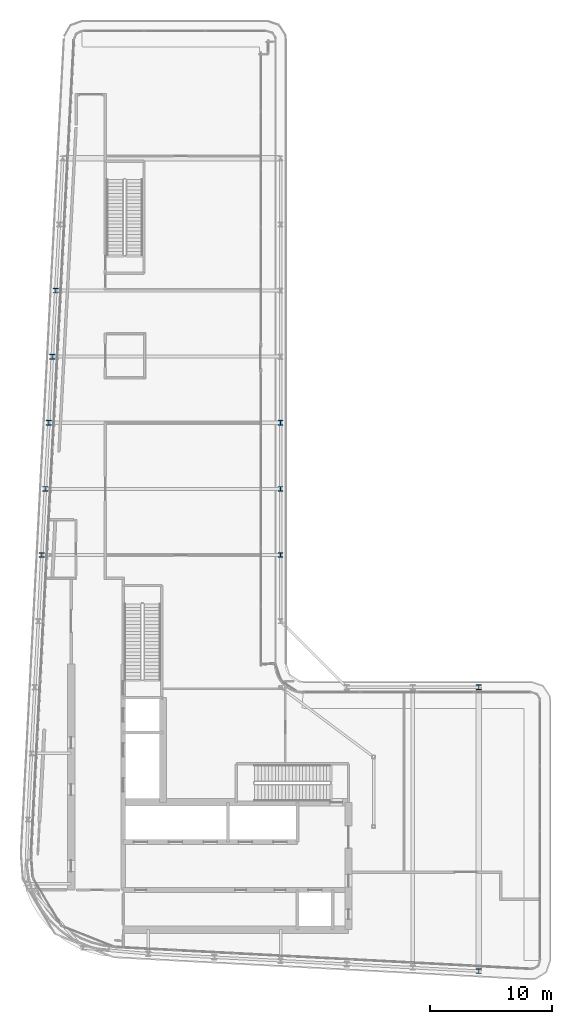
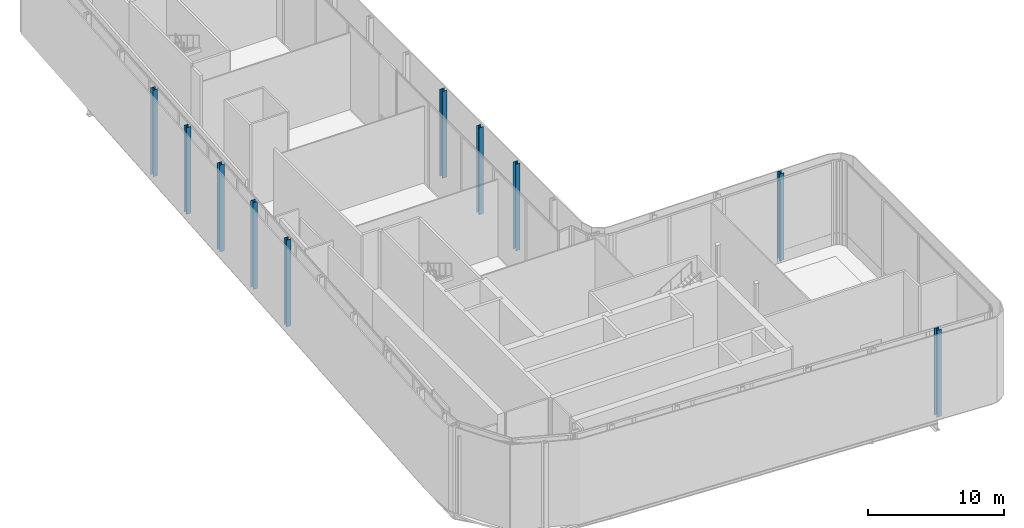
# One storey, part 3 of 28: 10 columns.
"""IFC4 building model written with IfcOpenShell, lengths in metres."""

import ifcopenshell
import ifcopenshell.guid

model = None  # the IFC model being written
_history = None  # IfcOwnerHistory: only IFC2X3 demands one
_inside = {}  # id of a spatial element -> (the spatial element, [elements in it])
_under = {}  # id of a project, library or spatial element -> (it, [spatial elements below it])
_declared = {}  # id of a project -> (the project, [libraries it declares])
_typed = {}  # id of a type object -> (the type object, [elements of that type])
_made_of = {}  # id of a material, layer set ... -> (it, [elements and type objects made of it])


def new_model(schema):
    """Start an empty IFC model of exactly this schema.

    Asked for "IFC4X3", IfcOpenShell would pick the latest addendum, in which some entities
    have other attributes; the version numbers below select the first issue.
    IFC2X3 requires an IfcOwnerHistory on every rooted entity: one is made here for all.
    """
    global model, _history
    if schema == "IFC4X3":
        model = ifcopenshell.file(schema_version=(4, 3, 0, 0))
    else:
        model = ifcopenshell.file(schema=schema)
    _inside.clear()
    _under.clear()
    _declared.clear()
    _typed.clear()
    _made_of.clear()
    _history = None
    if model.schema == "IFC2X3":
        org = make("IfcOrganization", Name="unknown")
        user = make(
            "IfcPersonAndOrganization",
            ThePerson=make("IfcPerson", FamilyName="unknown"),
            TheOrganization=org,
        )
        app = make(
            "IfcApplication",
            ApplicationDeveloper=org,
            Version="unknown",
            ApplicationFullName="unknown",
            ApplicationIdentifier="unknown",
        )
        _history = make(
            "IfcOwnerHistory",
            OwningUser=user,
            OwningApplication=app,
            ChangeAction="ADDED",
            CreationDate=0,
        )
    return model


def make(cls, **values):
    """One entity of the class cls with the attributes given. An attribute that is None is left unset."""
    return model.create_entity(
        cls, **{name: value for name, value in values.items() if value is not None}
    )


def rooted(cls, **values):
    """An entity with a GlobalId (a new one), such as an element, a storey or a relation."""
    return make(cls, GlobalId=ifcopenshell.guid.new(), OwnerHistory=_history, **values)


def si_unit(unit_type, name, prefix=None):
    """IfcSIUnit, for example si_unit("LENGTHUNIT", "METRE", prefix="MILLI")."""
    return make("IfcSIUnit", UnitType=unit_type, Prefix=prefix, Name=name)


def assignment(units):
    """IfcUnitAssignment: the units of a project."""
    return None if units is None else make("IfcUnitAssignment", Units=units)


def point(xyz):
    """IfcCartesianPoint."""
    return None if xyz is None else make("IfcCartesianPoint", Coordinates=xyz)


def direction(xyz):
    """IfcDirection."""
    return None if xyz is None else make("IfcDirection", DirectionRatios=xyz)


def frame(location, z_axis=None, x_axis=None):
    """IfcAxis2Placement3D, a coordinate frame: its origin and axes. An axis left out is left unset."""
    return make(
        "IfcAxis2Placement3D",
        Location=point(location),
        Axis=direction(z_axis),
        RefDirection=direction(x_axis),
    )


def frame_2d(location, x_axis=None):
    """IfcAxis2Placement2D, a coordinate frame in the plane: its origin and x axis."""
    return make(
        "IfcAxis2Placement2D", Location=point(location), RefDirection=direction(x_axis)
    )


def origin():
    """The frame at (0, 0, 0) with its axes left unset."""
    return frame((0.0, 0.0, 0.0))


def origin_2d():
    """The frame at (0, 0) in the plane with its x axis left unset."""
    return frame_2d((0.0, 0.0))


def place(relative_to, where):
    """IfcLocalPlacement: puts the frame where relative to a parent placement (None: the world)."""
    return make(
        "IfcLocalPlacement", PlacementRelTo=relative_to, RelativePlacement=where
    )


def context(
    kind, dimensions, precision=None, world=None, true_north=None, identifier=None
):
    """IfcGeometricRepresentationContext, for example the 3D "Model" context."""
    return make(
        "IfcGeometricRepresentationContext",
        ContextIdentifier=identifier,
        ContextType=kind,
        CoordinateSpaceDimension=dimensions,
        Precision=precision,
        WorldCoordinateSystem=world,
        TrueNorth=true_north,
    )


def subcontext(parent, identifier, kind, view, scale=None):
    """IfcGeometricRepresentationSubContext, for example "Body" below "Model"."""
    return make(
        "IfcGeometricRepresentationSubContext",
        ContextIdentifier=identifier,
        ContextType=kind,
        ParentContext=parent,
        TargetScale=scale,
        TargetView=view,
    )


def project(units=None, contexts=None):
    """IfcProject with its units and contexts."""
    return rooted(
        "IfcProject",
        Name="project",
        RepresentationContexts=contexts,
        UnitsInContext=assignment(units),
    )


def spatial(cls, under=None, at=None, **own):
    """A site, building, storey or space (cls), placed at a placement, below another one or the project."""
    s = rooted(cls, ObjectPlacement=at, **own)
    if under is not None:
        _under.setdefault(under.id(), (under, []))[1].append(s)
    return s


def profile(cls, at=None, kind="AREA", **sizes):
    """A parametric profile (cls). Its sizes go by their IFC names, for example OverallWidth=200.0."""
    return make(cls, ProfileType=kind, Position=at, **sizes)


def i_section(**sizes):
    """IfcIShapeProfileDef."""
    return profile("IfcIShapeProfileDef", **sizes)


def extrude(swept, where, along, depth):
    """IfcExtrudedAreaSolid: the profile swept, set in the frame where, extruded along a direction by depth."""
    return make(
        "IfcExtrudedAreaSolid",
        SweptArea=swept,
        Position=where,
        ExtrudedDirection=direction(along),
        Depth=depth,
    )


def shape(context_of_items, identifier, shape_type, items):
    """IfcShapeRepresentation: the items that make up one representation, for example the "Body"."""
    return make(
        "IfcShapeRepresentation",
        ContextOfItems=context_of_items,
        RepresentationIdentifier=identifier,
        RepresentationType=shape_type,
        Items=items,
    )


def material(Name=None, Category=None):
    """IfcMaterial."""
    return make("IfcMaterial", Name=Name, Category=Category)


def material_profile(
    of_material, cross_section, Name=None, Category=None, Priority=None
):
    """IfcMaterialProfile: a cross section and its material."""
    return make(
        "IfcMaterialProfile",
        Name=Name,
        Material=of_material,
        Profile=cross_section,
        Priority=Priority,
        Category=Category,
    )


def profile_set(profiles, Name=None, composite=None):
    """IfcMaterialProfileSet."""
    return make(
        "IfcMaterialProfileSet",
        Name=Name,
        MaterialProfiles=profiles,
        CompositeProfile=composite,
    )


def made_of(thing, what):
    """Note that an element or type object is made of a material, layer set ...; save() writes the relation."""
    if what is not None:
        _made_of.setdefault(what.id(), (what, []))[1].append(thing)
    return thing


def type_object(cls, material=None, **own):
    """A type object (cls), such as IfcWallType, which elements share."""
    return made_of(rooted(cls, **own), material)


def element(
    cls,
    number,
    at=None,
    inside=None,
    cuts=None,
    type_object=None,
    material=None,
    context=None,
    identifier="Body",
    shape_type=None,
    held_by="IfcProductDefinitionShape",
    body=None,
    shapes=None,
    **own,
):
    """One element of the class cls, such as IfcWall. Its Tag is "e" and its number.

    at: its placement. inside: the storey or other place that contains it. cuts: it is an
    opening in that element (IfcRelVoidsElement). A single representation is given by context,
    identifier, shape_type and body (its items); several are given by shapes. held_by: the class
    of the entity that holds the representations. save() writes the other relations.
    """
    e = rooted(cls, Tag="e%d" % number, ObjectPlacement=at, **own)
    if body is not None:
        shapes = [shape(context, identifier, shape_type, body)]
    if shapes is not None:
        e.Representation = make(held_by, Representations=shapes)
    if inside is not None:
        _inside.setdefault(inside.id(), (inside, []))[1].append(e)
    if cuts is not None:
        rooted(
            "IfcRelVoidsElement", RelatingBuildingElement=cuts, RelatedOpeningElement=e
        )
    if type_object is not None:
        _typed.setdefault(type_object.id(), (type_object, []))[1].append(e)
    return made_of(e, material)


def aggregate(whole, parts):
    """IfcRelAggregates: a whole, such as a stair, and the parts it consists of."""
    return rooted("IfcRelAggregates", RelatingObject=whole, RelatedObjects=parts)


def save(model, path):
    """Write the relations noted so far, then the file.

    IfcRelAggregates (storeys below a building ...), IfcRelContainedInSpatialStructure (elements
    in a storey), IfcRelDefinesByType, IfcRelAssociatesMaterial and IfcRelDeclares: one each for
    every whole, place, type object, material and project.
    """
    for whole, parts in _under.values():
        aggregate(whole, parts)
    for where, things in _inside.values():
        rooted(
            "IfcRelContainedInSpatialStructure",
            RelatedElements=things,
            RelatingStructure=where,
        )
    for kind, things in _typed.values():
        rooted("IfcRelDefinesByType", RelatedObjects=things, RelatingType=kind)
    for what, things in _made_of.values():
        rooted("IfcRelAssociatesMaterial", RelatedObjects=things, RelatingMaterial=what)
    for by, libraries in _declared.values():
        rooted("IfcRelDeclares", RelatingContext=by, RelatedDefinitions=libraries)
    model.write(path)


model = new_model("IFC4")

# Units and contexts
model_context = context("Model", 3, precision=1e-05, world=origin(), true_north=direction((0.0, 1.0)))
body_context = subcontext(model_context, "Body", "Model", "MODEL_VIEW")
ifc_project = project(units=[si_unit("LENGTHUNIT", "METRE"), si_unit("AREAUNIT", "SQUARE_METRE"), si_unit("VOLUMEUNIT", "CUBIC_METRE"), si_unit("PLANEANGLEUNIT", "RADIAN"), si_unit("MASSUNIT", "GRAM", prefix="KILO")], contexts=[model_context])

# Site, building, storey
site_placement = place(None, origin())
site = spatial("IfcSite", under=ifc_project, at=site_placement, CompositionType="ELEMENT")
building_placement = place(site_placement, origin())
building = spatial("IfcBuilding", under=site, at=building_placement, Name="Kheshtan School and Residences Tower", CompositionType="ELEMENT")
storey_placement = place(building_placement, frame((0.0, 0.0, 325.39990234375)))
storey = spatial("IfcBuildingStorey", under=building, at=storey_placement, Name="L77", CompositionType="ELEMENT", Elevation=325.39990234375)

# Columns
ifc_material = material(Name="Steel ASTM A992 Grade 50", Category="steel")
ifc_material_profile = material_profile(ifc_material, i_section(OverallWidth=0.39501953125, OverallDepth=0.3798828125, WebThickness=0.018798828125, FlangeThickness=0.0302734375, FilletRadius=0.011474609375, at=origin_2d()), Name="W360x237")
ifc_profile_set = profile_set([ifc_material_profile], Name="Steel ASTM A992 Grade 50")
column_type = type_object("IfcColumnType", Name="Column C5 W360x237 ASTM A992 Grade 50", PredefinedType="COLUMN", material=ifc_profile_set)
for number, where, z_axis, x_axis, name in (
    (1, (63.800048828125, 22.410888671875, 0.0), (0.0, 0.0, 1.0), (1.0, 0.0, 0.0), "Column C016"),
    (2, (63.800048828125, 45.60009765625, 0.0), (0.0, 0.0, 1.0), (1.0, 0.0, 0.0), "Column C063"),
    (3, (28.10595703125, 56.39990234375, 0.0), (0.0, 0.0, 1.0), (1.0, 0.0, 0.0), "Column C080"),
    (4, (47.60009765625, 56.39990234375, 0.0), (0.0, 0.0, 1.0), (1.0, 0.0, 0.0), "Column C081"),
    (5, (28.389892578125, 61.800048828125, 0.0), (0.0, 0.0, 1.0), (1.0, 0.0, 0.0), "Column C082"),
    (6, (47.60009765625, 61.800048828125, 0.0), (0.0, 0.0, 1.0), (1.0, 0.0, 0.0), "Column C083"),
    (7, (28.674072265625, 67.199951171875, 0.0), (0.0, 0.0, 1.0), (1.0, 0.0, 0.0), "Column C084"),
    (8, (47.60009765625, 67.199951171875, 0.0), (0.0, 0.0, 1.0), (1.0, 0.0, 0.0), "Column C085"),
    (9, (28.9580078125, 72.60009765625, 0.0), (0.0, 0.0, 1.0), (1.0, 0.0, 0.0), "Column C086"),
    (10, (29.242919921875, 78.0, 0.0), (0.0, 0.0, 1.0), (1.0, 0.0, 0.0), "Column C088"),
):
    element("IfcColumn", number, at=place(storey_placement, frame(where, z_axis=z_axis, x_axis=x_axis)), inside=storey, type_object=column_type, Name=name, PredefinedType="COLUMN", context=body_context, shape_type="SweptSolid", body=[
        extrude(i_section(OverallWidth=0.39501953125, OverallDepth=0.3798828125, WebThickness=0.018798828125, FlangeThickness=0.0302734375, FilletRadius=0.011474609375, at=origin_2d()), origin(), (0.0, 0.0, 1.0), 7.800048828125),
    ])

save(model, "model.ifc")
